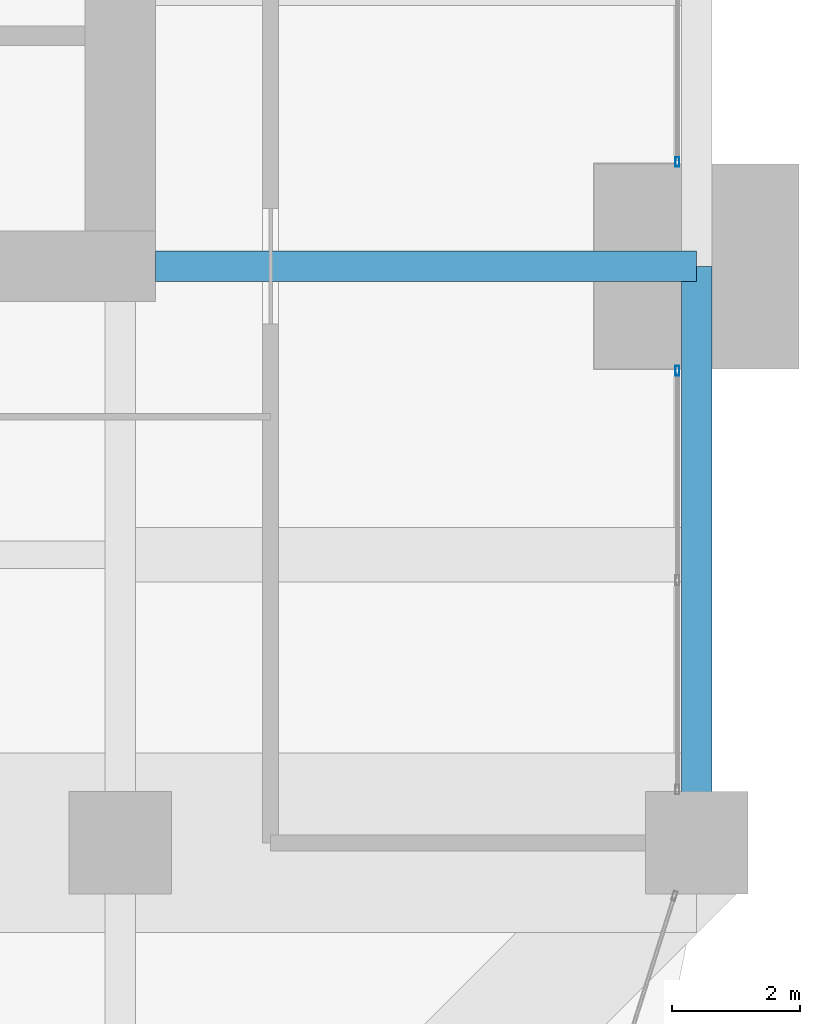
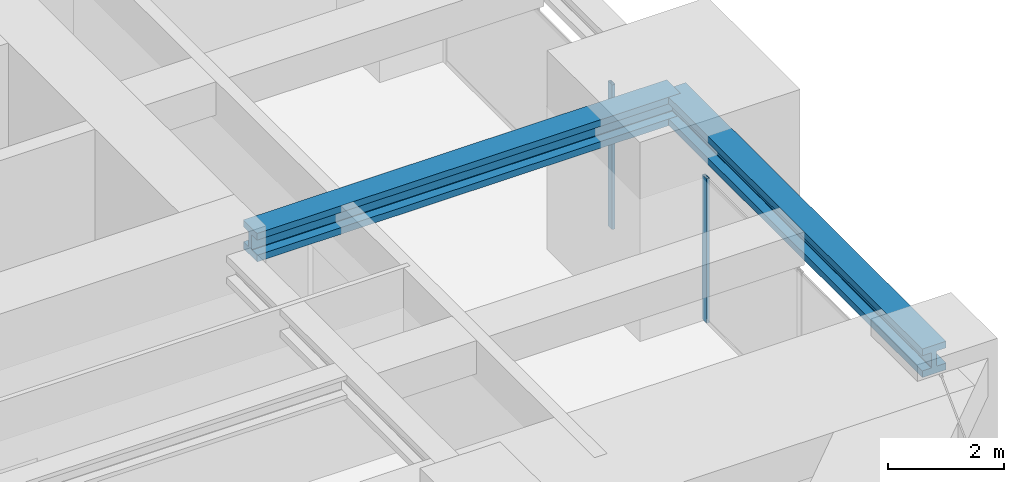
# One storey, part 20 of 39: 2 beams, 2 members, 2 elements without a shape of their own.
"""IFC4 building model written with IfcOpenShell, lengths in metres."""

import ifcopenshell
import ifcopenshell.guid

model = None  # the IFC model being written
_history = None  # IfcOwnerHistory: only IFC2X3 demands one
_inside = {}  # id of a spatial element -> (the spatial element, [elements in it])
_under = {}  # id of a project, library or spatial element -> (it, [spatial elements below it])
_declared = {}  # id of a project -> (the project, [libraries it declares])
_typed = {}  # id of a type object -> (the type object, [elements of that type])
_made_of = {}  # id of a material, layer set ... -> (it, [elements and type objects made of it])


def new_model(schema):
    """Start an empty IFC model of exactly this schema.

    Asked for "IFC4X3", IfcOpenShell would pick the latest addendum, in which some entities
    have other attributes; the version numbers below select the first issue.
    IFC2X3 requires an IfcOwnerHistory on every rooted entity: one is made here for all.
    """
    global model, _history
    if schema == "IFC4X3":
        model = ifcopenshell.file(schema_version=(4, 3, 0, 0))
    else:
        model = ifcopenshell.file(schema=schema)
    _inside.clear()
    _under.clear()
    _declared.clear()
    _typed.clear()
    _made_of.clear()
    _history = None
    if model.schema == "IFC2X3":
        org = make("IfcOrganization", Name="unknown")
        user = make(
            "IfcPersonAndOrganization",
            ThePerson=make("IfcPerson", FamilyName="unknown"),
            TheOrganization=org,
        )
        app = make(
            "IfcApplication",
            ApplicationDeveloper=org,
            Version="unknown",
            ApplicationFullName="unknown",
            ApplicationIdentifier="unknown",
        )
        _history = make(
            "IfcOwnerHistory",
            OwningUser=user,
            OwningApplication=app,
            ChangeAction="ADDED",
            CreationDate=0,
        )
    return model


def make(cls, **values):
    """One entity of the class cls with the attributes given. An attribute that is None is left unset."""
    return model.create_entity(
        cls, **{name: value for name, value in values.items() if value is not None}
    )


def rooted(cls, **values):
    """An entity with a GlobalId (a new one), such as an element, a storey or a relation."""
    return make(cls, GlobalId=ifcopenshell.guid.new(), OwnerHistory=_history, **values)


def si_unit(unit_type, name, prefix=None):
    """IfcSIUnit, for example si_unit("LENGTHUNIT", "METRE", prefix="MILLI")."""
    return make("IfcSIUnit", UnitType=unit_type, Prefix=prefix, Name=name)


def assignment(units):
    """IfcUnitAssignment: the units of a project."""
    return None if units is None else make("IfcUnitAssignment", Units=units)


def point(xyz):
    """IfcCartesianPoint."""
    return None if xyz is None else make("IfcCartesianPoint", Coordinates=xyz)


def direction(xyz):
    """IfcDirection."""
    return None if xyz is None else make("IfcDirection", DirectionRatios=xyz)


def frame(location, z_axis=None, x_axis=None):
    """IfcAxis2Placement3D, a coordinate frame: its origin and axes. An axis left out is left unset."""
    return make(
        "IfcAxis2Placement3D",
        Location=point(location),
        Axis=direction(z_axis),
        RefDirection=direction(x_axis),
    )


def frame_2d(location, x_axis=None):
    """IfcAxis2Placement2D, a coordinate frame in the plane: its origin and x axis."""
    return make(
        "IfcAxis2Placement2D", Location=point(location), RefDirection=direction(x_axis)
    )


def origin():
    """The frame at (0, 0, 0) with its axes left unset."""
    return frame((0.0, 0.0, 0.0))


def origin_2d():
    """The frame at (0, 0) in the plane with its x axis left unset."""
    return frame_2d((0.0, 0.0))


def place(relative_to, where):
    """IfcLocalPlacement: puts the frame where relative to a parent placement (None: the world)."""
    return make(
        "IfcLocalPlacement", PlacementRelTo=relative_to, RelativePlacement=where
    )


def context(
    kind, dimensions, precision=None, world=None, true_north=None, identifier=None
):
    """IfcGeometricRepresentationContext, for example the 3D "Model" context."""
    return make(
        "IfcGeometricRepresentationContext",
        ContextIdentifier=identifier,
        ContextType=kind,
        CoordinateSpaceDimension=dimensions,
        Precision=precision,
        WorldCoordinateSystem=world,
        TrueNorth=true_north,
    )


def subcontext(parent, identifier, kind, view, scale=None):
    """IfcGeometricRepresentationSubContext, for example "Body" below "Model"."""
    return make(
        "IfcGeometricRepresentationSubContext",
        ContextIdentifier=identifier,
        ContextType=kind,
        ParentContext=parent,
        TargetScale=scale,
        TargetView=view,
    )


def project(units=None, contexts=None):
    """IfcProject with its units and contexts."""
    return rooted(
        "IfcProject",
        Name="project",
        RepresentationContexts=contexts,
        UnitsInContext=assignment(units),
    )


def spatial(cls, under=None, at=None, **own):
    """A site, building, storey or space (cls), placed at a placement, below another one or the project."""
    s = rooted(cls, ObjectPlacement=at, **own)
    if under is not None:
        _under.setdefault(under.id(), (under, []))[1].append(s)
    return s


def profile(cls, at=None, kind="AREA", **sizes):
    """A parametric profile (cls). Its sizes go by their IFC names, for example OverallWidth=200.0."""
    return make(cls, ProfileType=kind, Position=at, **sizes)


def hollow_rectangle(**sizes):
    """IfcRectangleHollowProfileDef."""
    return profile("IfcRectangleHollowProfileDef", **sizes)


def i_section(**sizes):
    """IfcIShapeProfileDef."""
    return profile("IfcIShapeProfileDef", **sizes)


def extrude(swept, where, along, depth):
    """IfcExtrudedAreaSolid: the profile swept, set in the frame where, extruded along a direction by depth."""
    return make(
        "IfcExtrudedAreaSolid",
        SweptArea=swept,
        Position=where,
        ExtrudedDirection=direction(along),
        Depth=depth,
    )


def shape(context_of_items, identifier, shape_type, items):
    """IfcShapeRepresentation: the items that make up one representation, for example the "Body"."""
    return make(
        "IfcShapeRepresentation",
        ContextOfItems=context_of_items,
        RepresentationIdentifier=identifier,
        RepresentationType=shape_type,
        Items=items,
    )


def material(Name=None, Category=None):
    """IfcMaterial."""
    return make("IfcMaterial", Name=Name, Category=Category)


def material_profile(
    of_material, cross_section, Name=None, Category=None, Priority=None
):
    """IfcMaterialProfile: a cross section and its material."""
    return make(
        "IfcMaterialProfile",
        Name=Name,
        Material=of_material,
        Profile=cross_section,
        Priority=Priority,
        Category=Category,
    )


def profile_set(profiles, Name=None, composite=None):
    """IfcMaterialProfileSet."""
    return make(
        "IfcMaterialProfileSet",
        Name=Name,
        MaterialProfiles=profiles,
        CompositeProfile=composite,
    )


def made_of(thing, what):
    """Note that an element or type object is made of a material, layer set ...; save() writes the relation."""
    if what is not None:
        _made_of.setdefault(what.id(), (what, []))[1].append(thing)
    return thing


def type_object(cls, material=None, **own):
    """A type object (cls), such as IfcWallType, which elements share."""
    return made_of(rooted(cls, **own), material)


def element(
    cls,
    number,
    at=None,
    inside=None,
    cuts=None,
    type_object=None,
    material=None,
    context=None,
    identifier="Body",
    shape_type=None,
    held_by="IfcProductDefinitionShape",
    body=None,
    shapes=None,
    **own,
):
    """One element of the class cls, such as IfcWall. Its Tag is "e" and its number.

    at: its placement. inside: the storey or other place that contains it. cuts: it is an
    opening in that element (IfcRelVoidsElement). A single representation is given by context,
    identifier, shape_type and body (its items); several are given by shapes. held_by: the class
    of the entity that holds the representations. save() writes the other relations.
    """
    e = rooted(cls, Tag="e%d" % number, ObjectPlacement=at, **own)
    if body is not None:
        shapes = [shape(context, identifier, shape_type, body)]
    if shapes is not None:
        e.Representation = make(held_by, Representations=shapes)
    if inside is not None:
        _inside.setdefault(inside.id(), (inside, []))[1].append(e)
    if cuts is not None:
        rooted(
            "IfcRelVoidsElement", RelatingBuildingElement=cuts, RelatedOpeningElement=e
        )
    if type_object is not None:
        _typed.setdefault(type_object.id(), (type_object, []))[1].append(e)
    return made_of(e, material)


def aggregate(whole, parts):
    """IfcRelAggregates: a whole, such as a stair, and the parts it consists of."""
    return rooted("IfcRelAggregates", RelatingObject=whole, RelatedObjects=parts)


def save(model, path):
    """Write the relations noted so far, then the file.

    IfcRelAggregates (storeys below a building ...), IfcRelContainedInSpatialStructure (elements
    in a storey), IfcRelDefinesByType, IfcRelAssociatesMaterial and IfcRelDeclares: one each for
    every whole, place, type object, material and project.
    """
    for whole, parts in _under.values():
        aggregate(whole, parts)
    for where, things in _inside.values():
        rooted(
            "IfcRelContainedInSpatialStructure",
            RelatedElements=things,
            RelatingStructure=where,
        )
    for kind, things in _typed.values():
        rooted("IfcRelDefinesByType", RelatedObjects=things, RelatingType=kind)
    for what, things in _made_of.values():
        rooted("IfcRelAssociatesMaterial", RelatedObjects=things, RelatingMaterial=what)
    for by, libraries in _declared.values():
        rooted("IfcRelDeclares", RelatingContext=by, RelatedDefinitions=libraries)
    model.write(path)


model = new_model("IFC4")

# Units and contexts
model_context = context("Model", 3, precision=1e-05, world=origin(), true_north=direction((0.0, 1.0)))
body_context = subcontext(model_context, "Body", "Model", "MODEL_VIEW")
ifc_project = project(units=[si_unit("LENGTHUNIT", "METRE"), si_unit("AREAUNIT", "SQUARE_METRE"), si_unit("VOLUMEUNIT", "CUBIC_METRE"), si_unit("PLANEANGLEUNIT", "RADIAN"), si_unit("MASSUNIT", "GRAM", prefix="KILO")], contexts=[model_context])

# Site, building, storey
site_placement = place(None, origin())
site = spatial("IfcSite", under=ifc_project, at=site_placement, CompositionType="ELEMENT")
building_placement = place(site_placement, origin())
building = spatial("IfcBuilding", under=site, at=building_placement, Name="Zorevar Civic Tower", CompositionType="ELEMENT")
storey_placement = place(building_placement, frame((0.0, 0.0, 230.199951171875)))
storey = spatial("IfcBuildingStorey", under=building, at=storey_placement, Name="L56", CompositionType="ELEMENT", Elevation=230.199951171875)

# Beam
ifc_material_1 = material(Name="Steel S460M (HISTAR 460)", Category="steel")
ifc_material_profile_1 = material_profile(ifc_material_1, i_section(OverallWidth=0.47607421875, OverallDepth=0.60009765625, WebThickness=0.10009765625, FlangeThickness=0.139892578125, FilletRadius=0.014892578125, at=origin_2d()), Name="HD 400x1299")
ifc_profile_set_1 = profile_set([ifc_material_profile_1], Name="Steel S460M (HISTAR 460)")
beam_type_1 = type_object("IfcBeamType", Name="Belt chord HD 400x1299", PredefinedType="BEAM", material=ifc_profile_set_1)
beam_1_placement = place(storey_placement, frame((54.0, 9.0, 3.550048828125), z_axis=(0.0, 1.0, 0.0), x_axis=(-1.0, 0.0, 0.0)))
element("IfcBeam", 1, at=beam_1_placement, inside=storey, type_object=beam_type_1, Name="Belt chord L57", PredefinedType="BEAM", context=body_context, shape_type="SweptSolid", body=[
    extrude(i_section(OverallWidth=0.47607421875, OverallDepth=0.60009765625, WebThickness=0.10009765625, FlangeThickness=0.139892578125, FilletRadius=0.014892578125, at=origin_2d()), origin(), (0.0, 0.0, 1.0), 9.0),
])

# Curtain wall, member
ifc_material_2 = material(Name="Dark grey solar-control glass in black aluminium frame", Category="aluminium")
curtain_wall_type = type_object("IfcCurtainWallType", Name="Curtain wall CW4 high zone", PredefinedType="NOTDEFINED", material=ifc_material_2)
curtain_wall_1_placement = place(storey_placement, origin())
curtain_wall_1 = element("IfcCurtainWall", 2, at=curtain_wall_1_placement, inside=storey, type_object=curtain_wall_type, Name="CW4 L56", PredefinedType="NOTDEFINED")
ifc_material_3 = material(Name="Aluminium, black anodised", Category="aluminium")
ifc_material_profile_2 = material_profile(ifc_material_3, hollow_rectangle(XDim=0.06005859375, YDim=0.14990234375, WallThickness=0.00390625, at=origin_2d()), Name="AL 150x60x4")
ifc_profile_set_2 = profile_set([ifc_material_profile_2], Name="Aluminium, black anodised")
member_type = type_object("IfcMemberType", Name="CW4 mullion AL 150x60x4", PredefinedType="MULLION", material=ifc_profile_set_2)
member_1_placement = place(storey_placement, frame((53.699951171875, 16.3701171875, 0.0), z_axis=(0.0, 0.0, 1.0), x_axis=(-1.0, 0.0, 0.0)))
member_1 = element("IfcMember", 3, at=member_1_placement, type_object=member_type, Name="CW4 mullion 3", PredefinedType="MULLION", context=body_context, shape_type="SweptSolid", body=[
    extrude(hollow_rectangle(XDim=0.06005859375, YDim=0.14990234375, WallThickness=0.00390625, at=origin_2d()), origin(), (0.0, 0.0, 1.0), 3.050048828125),
])
aggregate(curtain_wall_1, [member_1])

curtain_wall_2_placement = place(storey_placement, origin())
curtain_wall_2 = element("IfcCurtainWall", 4, at=curtain_wall_2_placement, inside=storey, type_object=curtain_wall_type, Name="CW4 L56", PredefinedType="NOTDEFINED")
member_2_placement = place(storey_placement, frame((53.699951171875, 19.6298828125, 0.0), z_axis=(0.0, 0.0, 1.0), x_axis=(-1.0, 0.0, 0.0)))
member_2 = element("IfcMember", 5, at=member_2_placement, type_object=member_type, Name="CW4 mullion 1", PredefinedType="MULLION", context=body_context, shape_type="SweptSolid", body=[
    extrude(hollow_rectangle(XDim=0.06005859375, YDim=0.14990234375, WallThickness=0.00390625, at=origin_2d()), origin(), (0.0, 0.0, 1.0), 3.050048828125),
])
aggregate(curtain_wall_2, [member_2])

# Beam
ifc_material_4 = material(Name="Steel S460M (HISTAR 460)", Category="steel")
ifc_material_profile_3 = material_profile(ifc_material_4, i_section(OverallWidth=0.47607421875, OverallDepth=0.60009765625, WebThickness=0.10009765625, FlangeThickness=0.139892578125, FilletRadius=0.014892578125, at=origin_2d()), Name="HD 400x1299")
ifc_profile_set_3 = profile_set([ifc_material_profile_3], Name="Steel S460M (HISTAR 460)")
beam_type_2 = type_object("IfcBeamType", Name="Outrigger chord HD 400x1299", PredefinedType="BEAM", material=ifc_profile_set_3)
beam_2_placement = place(storey_placement, frame((45.550048828125, 18.0, 3.550048828125), z_axis=(1.0, 0.0, 0.0), x_axis=(0.0, 1.0, 0.0)))
element("IfcBeam", 6, at=beam_2_placement, inside=storey, type_object=beam_type_2, Name="Outrigger chord L57", PredefinedType="BEAM", context=body_context, shape_type="SweptSolid", body=[
    extrude(i_section(OverallWidth=0.47607421875, OverallDepth=0.60009765625, WebThickness=0.10009765625, FlangeThickness=0.139892578125, FilletRadius=0.014892578125, at=origin_2d()), origin(), (0.0, 0.0, 1.0), 8.449951171875),
])

save(model, "model.ifc")
